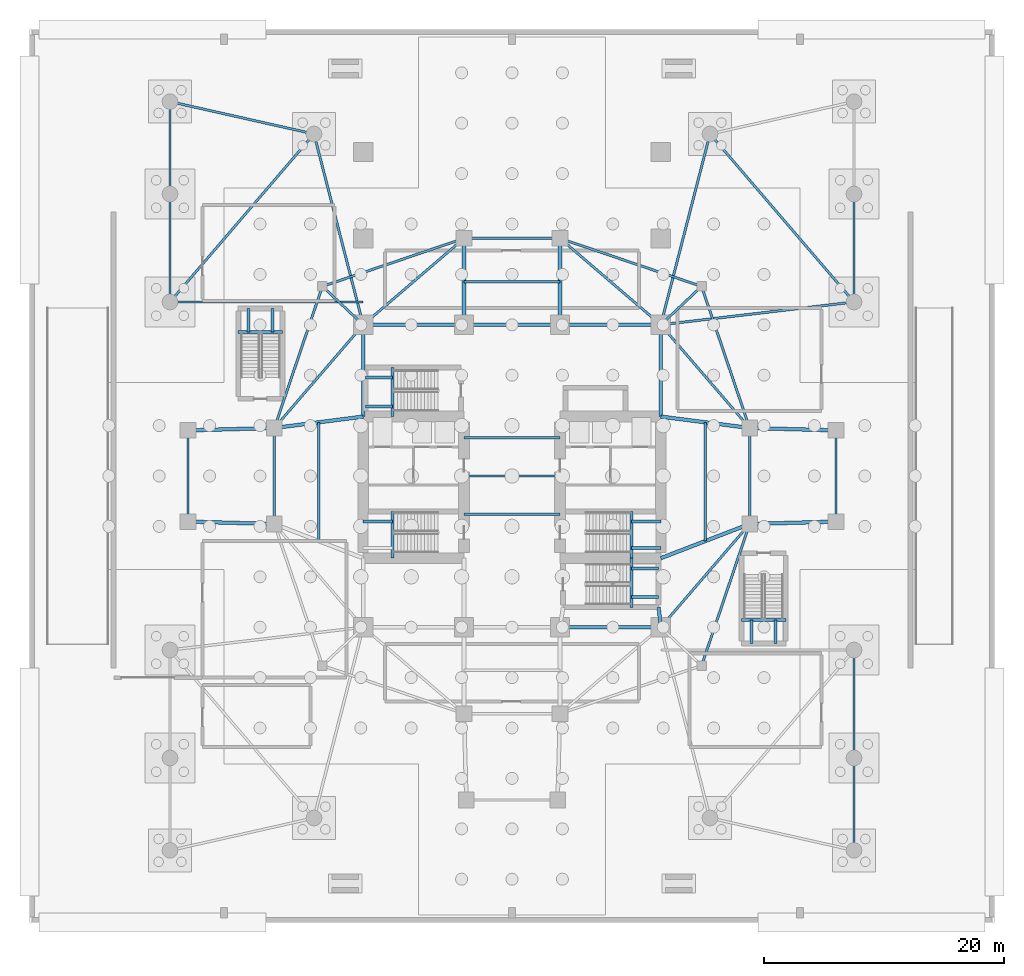
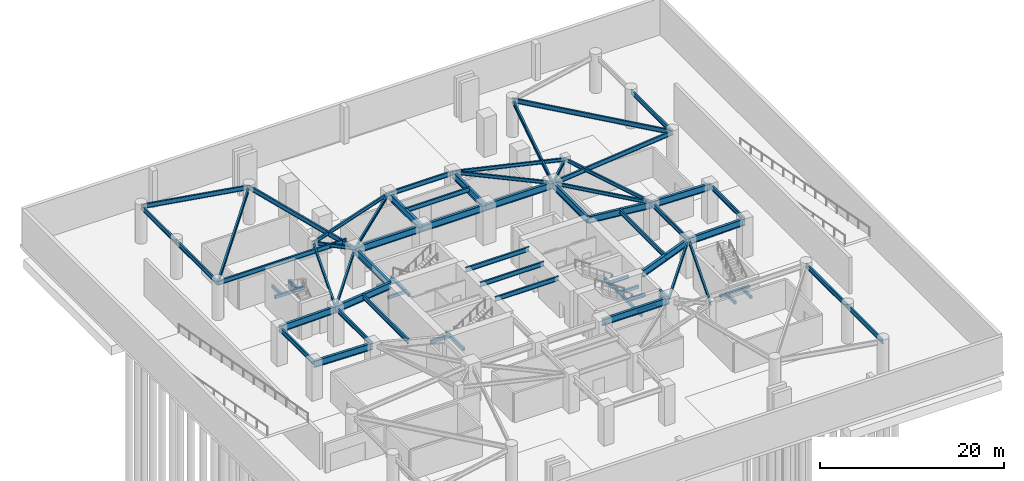
# One storey, part 3 of 14: 68 beams.
"""IFC4 building model written with IfcOpenShell, lengths in metres."""

from ifc_helpers import new_model, si_unit, direction, frame, origin, origin_2d, place, context, subcontext, project, spatial, rectangle, i_section, extrude, material, material_profile, profile_set, type_object, element, save


model = new_model("IFC4")

# Units and contexts
model_context = context("Model", 3, precision=1e-05, world=origin(), true_north=direction((0.0, 1.0)))
body_context = subcontext(model_context, "Body", "Model", "MODEL_VIEW")
ifc_project = project(units=[si_unit("LENGTHUNIT", "METRE"), si_unit("AREAUNIT", "SQUARE_METRE"), si_unit("VOLUMEUNIT", "CUBIC_METRE"), si_unit("PLANEANGLEUNIT", "RADIAN"), si_unit("MASSUNIT", "GRAM", prefix="KILO")], contexts=[model_context])

# Site, building, storey
site_placement = place(None, origin())
site = spatial("IfcSite", under=ifc_project, at=site_placement, CompositionType="ELEMENT")
building_placement = place(site_placement, origin())
building = spatial("IfcBuilding", under=site, at=building_placement, Name="Qingluan Cross Belvedere", CompositionType="ELEMENT")
storey_placement = place(building_placement, frame((0.0, 0.0, -10.39990234375)))
storey = spatial("IfcBuildingStorey", under=building, at=storey_placement, Name="B2", CompositionType="ELEMENT", Elevation=-10.39990234375)

# Beams
ifc_material_1 = material(Name="Concrete C45", Category="concrete")
ifc_material_profile_1 = material_profile(ifc_material_1, rectangle(XDim=0.25, YDim=0.39990234375, at=origin_2d()), Name="RC250x400")
ifc_profile_set_1 = profile_set([ifc_material_profile_1], Name="Concrete C45")
beam_type_1 = type_object("IfcBeamType", Name="RC_Lintel_RC250x400", PredefinedType="LINTEL", material=ifc_profile_set_1)
beam_1_placement = place(storey_placement, frame((-9.969970703125, -6.85009765625, 2.199951171875), z_axis=(0.0, 1.0, 0.0), x_axis=(-1.0, 0.0, 0.0)))
element("IfcBeam", 1, at=beam_1_placement, inside=storey, type_object=beam_type_1, Name="Stair ST1 beam A B2", PredefinedType="LINTEL", context=body_context, shape_type="SweptSolid", body=[
    extrude(rectangle(XDim=0.25, YDim=0.39990234375, at=origin_2d()), origin(), (0.0, 0.0, 1.0), 3.89013671875),
])
beam_2_placement = place(storey_placement, frame((-12.39990234375, -3.81005859375, 2.199951171875), z_axis=(1.0, 0.0, 0.0), x_axis=(0.0, 1.0, 0.0)))
element("IfcBeam", 2, at=beam_2_placement, inside=storey, type_object=beam_type_1, Name="Stair ST1 beam C B2", PredefinedType="LINTEL", context=body_context, shape_type="SweptSolid", body=[
    extrude(rectangle(XDim=0.25, YDim=0.39990234375, at=origin_2d()), origin(), (0.0, 0.0, 1.0), 2.429931640625),
])
beam_3_placement = place(storey_placement, frame((9.969970703125, -6.85009765625, 2.199951171875), z_axis=(0.0, 1.0, 0.0), x_axis=(-1.0, 0.0, 0.0)))
element("IfcBeam", 3, at=beam_3_placement, inside=storey, type_object=beam_type_1, Name="Stair ST2 beam A B2", PredefinedType="LINTEL", context=body_context, shape_type="SweptSolid", body=[
    extrude(rectangle(XDim=0.25, YDim=0.39990234375, at=origin_2d()), origin(), (0.0, 0.0, 1.0), 3.89013671875),
])
for number, where, z_axis, x_axis, name in (
    (4, (12.39990234375, -6.0, 2.199951171875), (-1.0, 0.0, 0.0), (0.0, -1.0, 0.0), "Stair ST2 beam B B2"),
    (5, (12.39990234375, -3.81005859375, 2.199951171875), (-1.0, 0.0, 0.0), (0.0, -1.0, 0.0), "Stair ST2 beam C B2"),
):
    element("IfcBeam", number, at=place(storey_placement, frame(where, z_axis=z_axis, x_axis=x_axis)), inside=storey, type_object=beam_type_1, Name=name, PredefinedType="LINTEL", context=body_context, shape_type="SweptSolid", body=[
        extrude(rectangle(XDim=0.25, YDim=0.39990234375, at=origin_2d()), origin(), (0.0, 0.0, 1.0), 2.429931640625),
    ])
beam_4_placement = place(storey_placement, frame((-9.969970703125, 4.949951171875, 2.199951171875), z_axis=(0.0, 1.0, 0.0), x_axis=(-1.0, 0.0, 0.0)))
element("IfcBeam", 6, at=beam_4_placement, inside=storey, type_object=beam_type_1, Name="Stair ST3 beam A B2", PredefinedType="LINTEL", context=body_context, shape_type="SweptSolid", body=[
    extrude(rectangle(XDim=0.25, YDim=0.39990234375, at=origin_2d()), origin(), (0.0, 0.0, 1.0), 4.090087890625),
])
for number, where, z_axis, x_axis, name in (
    (7, (-12.219970703125, 5.800048828125, 2.199951171875), (1.0, 0.0, 0.0), (0.0, 1.0, 0.0), "Stair ST3 beam B B2"),
    (8, (-12.219970703125, 8.18994140625, 2.199951171875), (1.0, 0.0, 0.0), (0.0, 1.0, 0.0), "Stair ST3 beam C B2"),
):
    element("IfcBeam", number, at=place(storey_placement, frame(where, z_axis=z_axis, x_axis=x_axis)), inside=storey, type_object=beam_type_1, Name=name, PredefinedType="LINTEL", context=body_context, shape_type="SweptSolid", body=[
        extrude(rectangle(XDim=0.25, YDim=0.39990234375, at=origin_2d()), origin(), (0.0, 0.0, 1.0), 2.25),
    ])
beam_5_placement = place(storey_placement, frame((9.969970703125, -10.93994140625, 2.199951171875), z_axis=(0.0, 1.0, 0.0), x_axis=(-1.0, 0.0, 0.0)))
element("IfcBeam", 9, at=beam_5_placement, inside=storey, type_object=beam_type_1, Name="Stair ST4 beam A B2", PredefinedType="LINTEL", context=body_context, shape_type="SweptSolid", body=[
    extrude(rectangle(XDim=0.25, YDim=0.39990234375, at=origin_2d()), origin(), (0.0, 0.0, 1.0), 4.08984375),
])
for number, where, z_axis, x_axis, name in (
    (10, (12.219970703125, -10.090087890625, 2.199951171875), (-1.0, 0.0, 0.0), (0.0, -1.0, 0.0), "Stair ST4 beam B B2"),
    (11, (12.219970703125, -7.699951171875, 2.199951171875), (-1.0, 0.0, 0.0), (0.0, -1.0, 0.0), "Stair ST4 beam C B2"),
):
    element("IfcBeam", number, at=place(storey_placement, frame(where, z_axis=z_axis, x_axis=x_axis)), inside=storey, type_object=beam_type_1, Name=name, PredefinedType="LINTEL", context=body_context, shape_type="SweptSolid", body=[
        extrude(rectangle(XDim=0.25, YDim=0.39990234375, at=origin_2d()), origin(), (0.0, 0.0, 1.0), 2.25),
    ])
beam_6_placement = place(storey_placement, frame((-22.820068359375, 12.0, 2.199951171875), z_axis=(1.0, 0.0, 0.0), x_axis=(0.0, 1.0, 0.0)))
element("IfcBeam", 12, at=beam_6_placement, inside=storey, type_object=beam_type_1, Name="Stair ST5 beam A B2", PredefinedType="LINTEL", context=body_context, shape_type="SweptSolid", body=[
    extrude(rectangle(XDim=0.25, YDim=0.39990234375, at=origin_2d()), origin(), (0.0, 0.0, 1.0), 3.699951171875),
])
for number, where, z_axis, x_axis, name in (
    (13, (-21.969970703125, 13.949951171875, 2.199951171875), (0.0, -1.0, 0.0), (1.0, 0.0, 0.0), "Stair ST5 beam B B2"),
    (14, (-19.969970703125, 13.949951171875, 2.199951171875), (0.0, -1.0, 0.0), (1.0, 0.0, 0.0), "Stair ST5 beam C B2"),
):
    element("IfcBeam", number, at=place(storey_placement, frame(where, z_axis=z_axis, x_axis=x_axis)), inside=storey, type_object=beam_type_1, Name=name, PredefinedType="LINTEL", context=body_context, shape_type="SweptSolid", body=[
        extrude(rectangle(XDim=0.25, YDim=0.39990234375, at=origin_2d()), origin(), (0.0, 0.0, 1.0), 1.949951171875),
    ])
beam_7_placement = place(storey_placement, frame((19.1201171875, -12.0, 2.199951171875), z_axis=(1.0, 0.0, 0.0), x_axis=(0.0, 1.0, 0.0)))
element("IfcBeam", 15, at=beam_7_placement, inside=storey, type_object=beam_type_1, Name="Stair ST6 beam A B2", PredefinedType="LINTEL", context=body_context, shape_type="SweptSolid", body=[
    extrude(rectangle(XDim=0.25, YDim=0.39990234375, at=origin_2d()), origin(), (0.0, 0.0, 1.0), 3.699951171875),
])
for number, where, z_axis, x_axis, name in (
    (16, (19.969970703125, -13.949951171875, 2.199951171875), (0.0, 1.0, 0.0), (-1.0, 0.0, 0.0), "Stair ST6 beam B B2"),
    (17, (21.969970703125, -13.949951171875, 2.199951171875), (0.0, 1.0, 0.0), (-1.0, 0.0, 0.0), "Stair ST6 beam C B2"),
):
    element("IfcBeam", number, at=place(storey_placement, frame(where, z_axis=z_axis, x_axis=x_axis)), inside=storey, type_object=beam_type_1, Name=name, PredefinedType="LINTEL", context=body_context, shape_type="SweptSolid", body=[
        extrude(rectangle(XDim=0.25, YDim=0.39990234375, at=origin_2d()), origin(), (0.0, 0.0, 1.0), 1.949951171875),
    ])
ifc_material_2 = material(Name="Steel Q420GJB", Category="steel")
ifc_material_profile_2 = material_profile(ifc_material_2, i_section(OverallWidth=0.199951171875, OverallDepth=0.449951171875, WebThickness=0.009033203125, FlangeThickness=0.013916015625, FilletRadius=0.01611328125, at=origin_2d()), Name="HN450x200x9x14")
ifc_profile_set_2 = profile_set([ifc_material_profile_2], Name="Steel Q420GJB")
beam_type_2 = type_object("IfcBeamType", Name="Steel_Beam_HN450x200x9x14", PredefinedType="JOIST", material=ifc_profile_set_2)
beam_8_placement = place(storey_placement, frame((12.39990234375, 12.60009765625, 4.625), z_axis=(0.728219948308, 0.685343495546, 0.0), x_axis=(-0.685343495546, 0.728219948308, 0.0)))
element("IfcBeam", 18, at=beam_8_placement, inside=storey, type_object=beam_type_2, Name="Corner beam 1 B2-RNE", PredefinedType="JOIST", context=body_context, shape_type="SweptSolid", body=[
    extrude(i_section(OverallWidth=0.199951171875, OverallDepth=0.449951171875, WebThickness=0.009033203125, FlangeThickness=0.013916015625, FilletRadius=0.01611328125, at=origin_2d()), origin(), (0.0, 0.0, 1.0), 4.669189453125),
])
for number, where, z_axis, x_axis, name in (
    (19, (15.800048828125, 15.800048828125, 4.625), (-0.947066283324, 0.321038089628, 0.0), (-0.321038089628, -0.947066283324, 0.0), "Corner beam 2 B2-RNE"),
    (20, (15.800048828125, 15.800048828125, 4.625), (0.321038089628, -0.947066283324, 0.0), (0.947066283324, 0.321038089628, 0.0), "Corner beam 3 B2-RNE"),
):
    element("IfcBeam", number, at=place(storey_placement, frame(where, z_axis=z_axis, x_axis=x_axis)), inside=storey, type_object=beam_type_2, Name=name, PredefinedType="JOIST", context=body_context, shape_type="SweptSolid", body=[
        extrude(i_section(OverallWidth=0.199951171875, OverallDepth=0.449951171875, WebThickness=0.009033203125, FlangeThickness=0.013916015625, FilletRadius=0.01611328125, at=origin_2d()), origin(), (0.0, 0.0, 1.0), 12.45947265625),
    ])
beam_9_placement = place(storey_placement, frame((12.39990234375, 12.60009765625, 4.625), z_axis=(0.652245077546, -0.75800815221, 0.0), x_axis=(0.75800815221, 0.652245077546, 0.0)))
element("IfcBeam", 21, at=beam_9_placement, inside=storey, type_object=beam_type_2, Name="Corner beam 4 B2-RNE", PredefinedType="JOIST", context=body_context, shape_type="SweptSolid", body=[
    extrude(i_section(OverallWidth=0.199951171875, OverallDepth=0.449951171875, WebThickness=0.009033203125, FlangeThickness=0.013916015625, FilletRadius=0.01611328125, at=origin_2d()), origin(), (0.0, 0.0, 1.0), 11.345703125),
])
beam_10_placement = place(storey_placement, frame((12.39990234375, 12.60009765625, 4.625), z_axis=(-0.759255044656, 0.650793190779, 0.0), x_axis=(-0.650793190779, -0.759255044656, 0.0)))
element("IfcBeam", 22, at=beam_10_placement, inside=storey, type_object=beam_type_2, Name="Corner beam 5 B2-RNE", PredefinedType="JOIST", context=body_context, shape_type="SweptSolid", body=[
    extrude(i_section(OverallWidth=0.199951171875, OverallDepth=0.449951171875, WebThickness=0.009033203125, FlangeThickness=0.013916015625, FilletRadius=0.01611328125, at=origin_2d()), origin(), (0.0, 0.0, 1.0), 11.063232421875),
])
beam_11_placement = place(storey_placement, frame((-12.39990234375, 12.60009765625, 4.625), z_axis=(-0.728219948308, 0.685343495546, 0.0), x_axis=(-0.685343495546, -0.728219948308, 0.0)))
element("IfcBeam", 23, at=beam_11_placement, inside=storey, type_object=beam_type_2, Name="Corner beam 1 B2-RNW", PredefinedType="JOIST", context=body_context, shape_type="SweptSolid", body=[
    extrude(i_section(OverallWidth=0.199951171875, OverallDepth=0.449951171875, WebThickness=0.009033203125, FlangeThickness=0.013916015625, FilletRadius=0.01611328125, at=origin_2d()), origin(), (0.0, 0.0, 1.0), 4.669189453125),
])
for number, where, z_axis, x_axis, name in (
    (24, (-15.800048828125, 15.800048828125, 4.625), (0.947066283324, 0.321038089628, 0.0), (-0.321038089628, 0.947066283324, 0.0), "Corner beam 2 B2-RNW"),
    (25, (-15.800048828125, 15.800048828125, 4.625), (-0.321038089628, -0.947066283324, 0.0), (0.947066283324, -0.321038089628, 0.0), "Corner beam 3 B2-RNW"),
):
    element("IfcBeam", number, at=place(storey_placement, frame(where, z_axis=z_axis, x_axis=x_axis)), inside=storey, type_object=beam_type_2, Name=name, PredefinedType="JOIST", context=body_context, shape_type="SweptSolid", body=[
        extrude(i_section(OverallWidth=0.199951171875, OverallDepth=0.449951171875, WebThickness=0.009033203125, FlangeThickness=0.013916015625, FilletRadius=0.01611328125, at=origin_2d()), origin(), (0.0, 0.0, 1.0), 12.45947265625),
    ])
beam_12_placement = place(storey_placement, frame((-12.39990234375, 12.60009765625, 4.625), z_axis=(-0.652245077546, -0.75800815221, 0.0), x_axis=(0.75800815221, -0.652245077546, 0.0)))
element("IfcBeam", 26, at=beam_12_placement, inside=storey, type_object=beam_type_2, Name="Corner beam 4 B2-RNW", PredefinedType="JOIST", context=body_context, shape_type="SweptSolid", body=[
    extrude(i_section(OverallWidth=0.199951171875, OverallDepth=0.449951171875, WebThickness=0.009033203125, FlangeThickness=0.013916015625, FilletRadius=0.01611328125, at=origin_2d()), origin(), (0.0, 0.0, 1.0), 11.345703125),
])
beam_13_placement = place(storey_placement, frame((-12.39990234375, 12.60009765625, 4.625), z_axis=(0.759255044656, 0.650793190779, 0.0), x_axis=(-0.650793190779, 0.759255044656, 0.0)))
element("IfcBeam", 27, at=beam_13_placement, inside=storey, type_object=beam_type_2, Name="Corner beam 5 B2-RNW", PredefinedType="JOIST", context=body_context, shape_type="SweptSolid", body=[
    extrude(i_section(OverallWidth=0.199951171875, OverallDepth=0.449951171875, WebThickness=0.009033203125, FlangeThickness=0.013916015625, FilletRadius=0.01611328125, at=origin_2d()), origin(), (0.0, 0.0, 1.0), 11.063232421875),
])
beam_14_placement = place(storey_placement, frame((15.800048828125, -15.800048828125, 4.625), z_axis=(0.321038089628, 0.947066283324, 0.0), x_axis=(-0.947066283324, 0.321038089628, 0.0)))
element("IfcBeam", 28, at=beam_14_placement, inside=storey, type_object=beam_type_2, Name="Corner beam 3 B2-RSE", PredefinedType="JOIST", context=body_context, shape_type="SweptSolid", body=[
    extrude(i_section(OverallWidth=0.199951171875, OverallDepth=0.449951171875, WebThickness=0.009033203125, FlangeThickness=0.013916015625, FilletRadius=0.01611328125, at=origin_2d()), origin(), (0.0, 0.0, 1.0), 12.45947265625),
])
beam_15_placement = place(storey_placement, frame((12.39990234375, -12.60009765625, 4.625), z_axis=(0.652245077546, 0.75800815221, 0.0), x_axis=(-0.75800815221, 0.652245077546, 0.0)))
element("IfcBeam", 29, at=beam_15_placement, inside=storey, type_object=beam_type_2, Name="Corner beam 4 B2-RSE", PredefinedType="JOIST", context=body_context, shape_type="SweptSolid", body=[
    extrude(i_section(OverallWidth=0.199951171875, OverallDepth=0.449951171875, WebThickness=0.009033203125, FlangeThickness=0.013916015625, FilletRadius=0.01611328125, at=origin_2d()), origin(), (0.0, 0.0, 1.0), 11.345703125),
])
ifc_material_3 = material(Name="Steel Q420GJB", Category="steel")
ifc_material_profile_3 = material_profile(ifc_material_3, i_section(OverallWidth=0.199951171875, OverallDepth=0.60009765625, WebThickness=0.010986328125, FlangeThickness=0.01708984375, FilletRadius=0.01806640625, at=origin_2d()), Name="HN600x200x11x17")
ifc_profile_set_3 = profile_set([ifc_material_profile_3], Name="Steel Q420GJB")
beam_type_3 = type_object("IfcBeamType", Name="Steel_Beam_HN600x200x11x17", PredefinedType="JOIST", material=ifc_profile_set_3)
for number, where, z_axis, x_axis, name in (
    (30, (-4.0, -3.199951171875, 4.5498046875), (1.0, 0.0, 0.0), (0.0, 1.0, 0.0), "Hall beam B2-CH1"),
    (31, (-4.0, 0.0, 4.5498046875), (1.0, 0.0, 0.0), (0.0, 1.0, 0.0), "Hall beam B2-CH2"),
    (32, (-4.0, 3.199951171875, 4.5498046875), (1.0, 0.0, 0.0), (0.0, 1.0, 0.0), "Hall beam B2-CH3"),
    (33, (19.800048828125, -4.0, 4.5498046875), (0.0, 1.0, 0.0), (-1.0, 0.0, 0.0), "Arm E tie B2"),
):
    element("IfcBeam", number, at=place(storey_placement, frame(where, z_axis=z_axis, x_axis=x_axis)), inside=storey, type_object=beam_type_3, Name=name, PredefinedType="JOIST", context=body_context, shape_type="SweptSolid", body=[
        extrude(i_section(OverallWidth=0.199951171875, OverallDepth=0.60009765625, WebThickness=0.010986328125, FlangeThickness=0.01708984375, FilletRadius=0.01806640625, at=origin_2d()), origin(), (0.0, 0.0, 1.0), 8.0),
    ])
beam_16_placement = place(storey_placement, frame((16.10009765625, -5.425048828125, 4.5498046875), z_axis=(0.0, 1.0, 0.0), x_axis=(-1.0, 0.0, 0.0)))
element("IfcBeam", 34, at=beam_16_placement, inside=storey, type_object=beam_type_3, Name="Arm E beam B2", PredefinedType="JOIST", context=body_context, shape_type="SweptSolid", body=[
    extrude(i_section(OverallWidth=0.199951171875, OverallDepth=0.60009765625, WebThickness=0.010986328125, FlangeThickness=0.01708984375, FilletRadius=0.01806640625, at=origin_2d()), origin(), (0.0, 0.0, 1.0), 9.900146484375),
])
beam_17_placement = place(storey_placement, frame((27.0, -3.800048828125, 4.5498046875), z_axis=(0.0, 1.0, 0.0), x_axis=(-1.0, 0.0, 0.0)))
element("IfcBeam", 35, at=beam_17_placement, inside=storey, type_object=beam_type_3, Name="Arm E tip transverse beam B2", PredefinedType="JOIST", context=body_context, shape_type="SweptSolid", body=[
    extrude(i_section(OverallWidth=0.199951171875, OverallDepth=0.60009765625, WebThickness=0.010986328125, FlangeThickness=0.01708984375, FilletRadius=0.01806640625, at=origin_2d()), origin(), (0.0, 0.0, 1.0), 7.60009765625),
])
beam_18_placement = place(storey_placement, frame((-19.800048828125, -4.0, 4.5498046875), z_axis=(0.0, 1.0, 0.0), x_axis=(-1.0, 0.0, 0.0)))
element("IfcBeam", 36, at=beam_18_placement, inside=storey, type_object=beam_type_3, Name="Arm W tie B2", PredefinedType="JOIST", context=body_context, shape_type="SweptSolid", body=[
    extrude(i_section(OverallWidth=0.199951171875, OverallDepth=0.60009765625, WebThickness=0.010986328125, FlangeThickness=0.01708984375, FilletRadius=0.01806640625, at=origin_2d()), origin(), (0.0, 0.0, 1.0), 8.0),
])
beam_19_placement = place(storey_placement, frame((-16.10009765625, -5.425048828125, 4.5498046875), z_axis=(0.0, 1.0, 0.0), x_axis=(-1.0, 0.0, 0.0)))
element("IfcBeam", 37, at=beam_19_placement, inside=storey, type_object=beam_type_3, Name="Arm W beam B2", PredefinedType="JOIST", context=body_context, shape_type="SweptSolid", body=[
    extrude(i_section(OverallWidth=0.199951171875, OverallDepth=0.60009765625, WebThickness=0.010986328125, FlangeThickness=0.01708984375, FilletRadius=0.01806640625, at=origin_2d()), origin(), (0.0, 0.0, 1.0), 9.900146484375),
])
beam_20_placement = place(storey_placement, frame((-27.0, -3.800048828125, 4.5498046875), z_axis=(0.0, 1.0, 0.0), x_axis=(-1.0, 0.0, 0.0)))
element("IfcBeam", 38, at=beam_20_placement, inside=storey, type_object=beam_type_3, Name="Arm W tip transverse beam B2", PredefinedType="JOIST", context=body_context, shape_type="SweptSolid", body=[
    extrude(i_section(OverallWidth=0.199951171875, OverallDepth=0.60009765625, WebThickness=0.010986328125, FlangeThickness=0.01708984375, FilletRadius=0.01806640625, at=origin_2d()), origin(), (0.0, 0.0, 1.0), 7.60009765625),
])
for number, where, z_axis, x_axis, name in (
    (39, (-4.0, 19.800048828125, 4.5498046875), (1.0, 0.0, 0.0), (0.0, 1.0, 0.0), "Arm N tie B2"),
    (40, (-4.0, 16.199951171875, 4.5498046875), (1.0, 0.0, 0.0), (0.0, 1.0, 0.0), "Arm N beam B2"),
):
    element("IfcBeam", number, at=place(storey_placement, frame(where, z_axis=z_axis, x_axis=x_axis)), inside=storey, type_object=beam_type_3, Name=name, PredefinedType="JOIST", context=body_context, shape_type="SweptSolid", body=[
        extrude(i_section(OverallWidth=0.199951171875, OverallDepth=0.60009765625, WebThickness=0.010986328125, FlangeThickness=0.01708984375, FilletRadius=0.01806640625, at=origin_2d()), origin(), (0.0, 0.0, 1.0), 8.0),
    ])
beam_21_placement = place(storey_placement, frame((-12.39990234375, 14.5, 4.5498046875), z_axis=(-1.0, 0.0, 0.0), x_axis=(0.0, -1.0, 0.0)))
element("IfcBeam", 41, at=beam_21_placement, inside=storey, type_object=beam_type_3, Name="Podium quadrant tie beam B2-WNH1", PredefinedType="JOIST", context=body_context, shape_type="SweptSolid", body=[
    extrude(i_section(OverallWidth=0.199951171875, OverallDepth=0.60009765625, WebThickness=0.010986328125, FlangeThickness=0.01708984375, FilletRadius=0.01806640625, at=origin_2d()), origin(), (0.0, 0.0, 1.0), 16.10009765625),
])
beam_22_placement = place(storey_placement, frame((-12.39990234375, 12.60009765625, 4.5498046875), z_axis=(-0.249700840873, 0.968323029814, 0.0), x_axis=(-0.968323029814, -0.249700840873, 0.0)))
element("IfcBeam", 42, at=beam_22_placement, inside=storey, type_object=beam_type_3, Name="Podium quadrant tie beam B2-WNH3", PredefinedType="JOIST", context=body_context, shape_type="SweptSolid", body=[
    extrude(i_section(OverallWidth=0.199951171875, OverallDepth=0.60009765625, WebThickness=0.010986328125, FlangeThickness=0.01708984375, FilletRadius=0.01806640625, at=origin_2d()), origin(), (0.0, 0.0, 1.0), 16.419921875),
])
beam_23_placement = place(storey_placement, frame((-28.5, 14.5, 4.5498046875), z_axis=(0.0, 1.0, 0.0), x_axis=(-1.0, 0.0, 0.0)))
element("IfcBeam", 43, at=beam_23_placement, inside=storey, type_object=beam_type_3, Name="Podium quadrant tie beam B2-WN12", PredefinedType="JOIST", context=body_context, shape_type="SweptSolid", body=[
    extrude(i_section(OverallWidth=0.199951171875, OverallDepth=0.60009765625, WebThickness=0.010986328125, FlangeThickness=0.01708984375, FilletRadius=0.01806640625, at=origin_2d()), origin(), (0.0, 0.0, 1.0), 9.0),
])
beam_24_placement = place(storey_placement, frame((-28.5, 23.5, 4.5498046875), z_axis=(0.0, 1.0, 0.0), x_axis=(-1.0, 0.0, 0.0)))
element("IfcBeam", 44, at=beam_24_placement, inside=storey, type_object=beam_type_3, Name="Podium quadrant tie beam B2-WN24", PredefinedType="JOIST", context=body_context, shape_type="SweptSolid", body=[
    extrude(i_section(OverallWidth=0.199951171875, OverallDepth=0.60009765625, WebThickness=0.010986328125, FlangeThickness=0.01708984375, FilletRadius=0.01806640625, at=origin_2d()), origin(), (0.0, 0.0, 1.0), 7.699951171875),
])
beam_25_placement = place(storey_placement, frame((-16.5, 28.5, 4.5498046875), z_axis=(-0.975610606249, 0.219508416636, 0.0), x_axis=(-0.219508416636, -0.975610606249, 0.0)))
element("IfcBeam", 45, at=beam_25_placement, inside=storey, type_object=beam_type_3, Name="Podium quadrant tie beam B2-WN34", PredefinedType="JOIST", context=body_context, shape_type="SweptSolid", body=[
    extrude(i_section(OverallWidth=0.199951171875, OverallDepth=0.60009765625, WebThickness=0.010986328125, FlangeThickness=0.01708984375, FilletRadius=0.01806640625, at=origin_2d()), origin(), (0.0, 0.0, 1.0), 12.300048828125),
])
beam_26_placement = place(storey_placement, frame((-28.5, 14.5, 4.5498046875), z_axis=(0.650791373456, 0.759256602365, 0.0), x_axis=(-0.759256602365, 0.650791373456, 0.0)))
element("IfcBeam", 46, at=beam_26_placement, inside=storey, type_object=beam_type_3, Name="Podium quadrant tie beam B2-WN13", PredefinedType="JOIST", context=body_context, shape_type="SweptSolid", body=[
    extrude(i_section(OverallWidth=0.199951171875, OverallDepth=0.60009765625, WebThickness=0.010986328125, FlangeThickness=0.01708984375, FilletRadius=0.01806640625, at=origin_2d()), origin(), (0.0, 0.0, 1.0), 18.439208984375),
])
beam_27_placement = place(storey_placement, frame((28.5, -14.5, 4.5498046875), z_axis=(0.0, -1.0, 0.0), x_axis=(1.0, 0.0, 0.0)))
element("IfcBeam", 47, at=beam_27_placement, inside=storey, type_object=beam_type_3, Name="Podium quadrant tie beam B2-ES12", PredefinedType="JOIST", context=body_context, shape_type="SweptSolid", body=[
    extrude(i_section(OverallWidth=0.199951171875, OverallDepth=0.60009765625, WebThickness=0.010986328125, FlangeThickness=0.01708984375, FilletRadius=0.01806640625, at=origin_2d()), origin(), (0.0, 0.0, 1.0), 9.0),
])
beam_28_placement = place(storey_placement, frame((28.5, -23.5, 4.5498046875), z_axis=(0.0, -1.0, 0.0), x_axis=(1.0, 0.0, 0.0)))
element("IfcBeam", 48, at=beam_28_placement, inside=storey, type_object=beam_type_3, Name="Podium quadrant tie beam B2-ES24", PredefinedType="JOIST", context=body_context, shape_type="SweptSolid", body=[
    extrude(i_section(OverallWidth=0.199951171875, OverallDepth=0.60009765625, WebThickness=0.010986328125, FlangeThickness=0.01708984375, FilletRadius=0.01806640625, at=origin_2d()), origin(), (0.0, 0.0, 1.0), 7.699951171875),
])
beam_29_placement = place(storey_placement, frame((12.39990234375, 12.60009765625, 4.5498046875), z_axis=(0.99310921872, 0.117192489917, 0.0), x_axis=(-0.117192489917, 0.99310921872, 0.0)))
element("IfcBeam", 49, at=beam_29_placement, inside=storey, type_object=beam_type_3, Name="Podium quadrant tie beam B2-ENH1", PredefinedType="JOIST", context=body_context, shape_type="SweptSolid", body=[
    extrude(i_section(OverallWidth=0.199951171875, OverallDepth=0.60009765625, WebThickness=0.010986328125, FlangeThickness=0.01708984375, FilletRadius=0.01806640625, at=origin_2d()), origin(), (0.0, 0.0, 1.0), 16.2119140625),
])
beam_30_placement = place(storey_placement, frame((12.39990234375, 12.60009765625, 4.5498046875), z_axis=(0.249700840873, 0.968323029814, 0.0), x_axis=(-0.968323029814, 0.249700840873, 0.0)))
element("IfcBeam", 50, at=beam_30_placement, inside=storey, type_object=beam_type_3, Name="Podium quadrant tie beam B2-ENH3", PredefinedType="JOIST", context=body_context, shape_type="SweptSolid", body=[
    extrude(i_section(OverallWidth=0.199951171875, OverallDepth=0.60009765625, WebThickness=0.010986328125, FlangeThickness=0.01708984375, FilletRadius=0.01806640625, at=origin_2d()), origin(), (0.0, 0.0, 1.0), 16.419921875),
])
beam_31_placement = place(storey_placement, frame((28.5, 14.5, 4.5498046875), z_axis=(0.0, 1.0, 0.0), x_axis=(-1.0, 0.0, 0.0)))
element("IfcBeam", 51, at=beam_31_placement, inside=storey, type_object=beam_type_3, Name="Podium quadrant tie beam B2-EN12", PredefinedType="JOIST", context=body_context, shape_type="SweptSolid", body=[
    extrude(i_section(OverallWidth=0.199951171875, OverallDepth=0.60009765625, WebThickness=0.010986328125, FlangeThickness=0.01708984375, FilletRadius=0.01806640625, at=origin_2d()), origin(), (0.0, 0.0, 1.0), 9.0),
])
beam_32_placement = place(storey_placement, frame((28.5, 14.5, 4.5498046875), z_axis=(-0.650791373456, 0.759256602365, 0.0), x_axis=(-0.759256602365, -0.650791373456, 0.0)))
element("IfcBeam", 52, at=beam_32_placement, inside=storey, type_object=beam_type_3, Name="Podium quadrant tie beam B2-EN13", PredefinedType="JOIST", context=body_context, shape_type="SweptSolid", body=[
    extrude(i_section(OverallWidth=0.199951171875, OverallDepth=0.60009765625, WebThickness=0.010986328125, FlangeThickness=0.01708984375, FilletRadius=0.01806640625, at=origin_2d()), origin(), (0.0, 0.0, 1.0), 18.439208984375),
])
ifc_material_4 = material(Name="Steel Q420GJB", Category="steel")
ifc_material_profile_4 = material_profile(ifc_material_4, i_section(OverallWidth=0.300048828125, OverallDepth=0.89990234375, WebThickness=0.0166015625, FlangeThickness=0.030029296875, FilletRadius=0.030029296875, at=origin_2d()), Name="HEB900")
ifc_profile_set_4 = profile_set([ifc_material_profile_4], Name="Steel Q420GJB")
beam_type_4 = type_object("IfcBeamType", Name="Steel_Girder_HEB900", PredefinedType="USERDEFINED", material=ifc_profile_set_4)
for number, where, z_axis, x_axis, name in (
    (53, (4.0, -12.60009765625, 4.39990234375), (1.0, 0.0, 0.0), (0.0, 1.0, 0.0), "Hub girder B2-HG-S3"),
    (54, (-12.39990234375, 12.60009765625, 4.39990234375), (1.0, 0.0, 0.0), (0.0, 1.0, 0.0), "Hub girder B2-HG-N1"),
):
    element("IfcBeam", number, at=place(storey_placement, frame(where, z_axis=z_axis, x_axis=x_axis)), inside=storey, type_object=beam_type_4, Name=name, ObjectType="GIRDER", PredefinedType="USERDEFINED", context=body_context, shape_type="SweptSolid", body=[
        extrude(i_section(OverallWidth=0.300048828125, OverallDepth=0.89990234375, WebThickness=0.0166015625, FlangeThickness=0.030029296875, FilletRadius=0.030029296875, at=origin_2d()), origin(), (0.0, 0.0, 1.0), 8.39990234375),
    ])
beam_33_placement = place(storey_placement, frame((-4.0, 12.60009765625, 4.39990234375), z_axis=(1.0, 0.0, 0.0), x_axis=(0.0, 1.0, 0.0)))
element("IfcBeam", 55, at=beam_33_placement, inside=storey, type_object=beam_type_4, Name="Hub girder B2-HG-N2", ObjectType="GIRDER", PredefinedType="USERDEFINED", context=body_context, shape_type="SweptSolid", body=[
    extrude(i_section(OverallWidth=0.300048828125, OverallDepth=0.89990234375, WebThickness=0.0166015625, FlangeThickness=0.030029296875, FilletRadius=0.030029296875, at=origin_2d()), origin(), (0.0, 0.0, 1.0), 8.0),
])
beam_34_placement = place(storey_placement, frame((4.0, 12.60009765625, 4.39990234375), z_axis=(1.0, 0.0, 0.0), x_axis=(0.0, 1.0, 0.0)))
element("IfcBeam", 56, at=beam_34_placement, inside=storey, type_object=beam_type_4, Name="Hub girder B2-HG-N3", ObjectType="GIRDER", PredefinedType="USERDEFINED", context=body_context, shape_type="SweptSolid", body=[
    extrude(i_section(OverallWidth=0.300048828125, OverallDepth=0.89990234375, WebThickness=0.0166015625, FlangeThickness=0.030029296875, FilletRadius=0.030029296875, at=origin_2d()), origin(), (0.0, 0.0, 1.0), 8.39990234375),
])
beam_35_placement = place(storey_placement, frame((-12.39990234375, 4.949951171875, 4.39990234375), z_axis=(0.0, 1.0, 0.0), x_axis=(-1.0, 0.0, 0.0)))
element("IfcBeam", 57, at=beam_35_placement, inside=storey, type_object=beam_type_4, Name="Hub girder B2-HG-W2", ObjectType="GIRDER", PredefinedType="USERDEFINED", context=body_context, shape_type="SweptSolid", body=[
    extrude(i_section(OverallWidth=0.300048828125, OverallDepth=0.89990234375, WebThickness=0.0166015625, FlangeThickness=0.030029296875, FilletRadius=0.030029296875, at=origin_2d()), origin(), (0.0, 0.0, 1.0), 7.650146484375),
])
beam_36_placement = place(storey_placement, frame((12.39990234375, -12.60009765625, 4.39990234375), z_axis=(-0.107751337451, 0.994177876075, 0.0), x_axis=(-0.994177876075, -0.107751337451, 0.0)))
element("IfcBeam", 58, at=beam_36_placement, inside=storey, type_object=beam_type_4, Name="Hub girder B2-HG-E1", ObjectType="GIRDER", PredefinedType="USERDEFINED", context=body_context, shape_type="SweptSolid", body=[
    extrude(i_section(OverallWidth=0.300048828125, OverallDepth=0.89990234375, WebThickness=0.0166015625, FlangeThickness=0.030029296875, FilletRadius=0.030029296875, at=origin_2d()), origin(), (0.0, 0.0, 1.0), 1.669921875),
])
beam_37_placement = place(storey_placement, frame((12.39990234375, 4.949951171875, 4.39990234375), z_axis=(0.0, 1.0, 0.0), x_axis=(-1.0, 0.0, 0.0)))
element("IfcBeam", 59, at=beam_37_placement, inside=storey, type_object=beam_type_4, Name="Hub girder B2-HG-E2", ObjectType="GIRDER", PredefinedType="USERDEFINED", context=body_context, shape_type="SweptSolid", body=[
    extrude(i_section(OverallWidth=0.300048828125, OverallDepth=0.89990234375, WebThickness=0.0166015625, FlangeThickness=0.030029296875, FilletRadius=0.030029296875, at=origin_2d()), origin(), (0.0, 0.0, 1.0), 7.650146484375),
])
beam_38_placement = place(storey_placement, frame((12.39990234375, -6.85009765625, 4.39990234375), z_axis=(0.933181258889, 0.359406090735, 0.0), x_axis=(-0.359406090735, 0.933181258889, 0.0)))
element("IfcBeam", 60, at=beam_38_placement, inside=storey, type_object=beam_type_4, Name="Arm E radial girder A B2", ObjectType="GIRDER", PredefinedType="USERDEFINED", context=body_context, shape_type="SweptSolid", body=[
    extrude(i_section(OverallWidth=0.300048828125, OverallDepth=0.89990234375, WebThickness=0.0166015625, FlangeThickness=0.030029296875, FilletRadius=0.030029296875, at=origin_2d()), origin(), (0.0, 0.0, 1.0), 7.929931640625),
])
beam_39_placement = place(storey_placement, frame((12.39990234375, 4.949951171875, 4.39990234375), z_axis=(0.991861120628, -0.12732445714, 0.0), x_axis=(0.12732445714, 0.991861120628, 0.0)))
element("IfcBeam", 61, at=beam_39_placement, inside=storey, type_object=beam_type_4, Name="Arm E radial girder B B2", ObjectType="GIRDER", PredefinedType="USERDEFINED", context=body_context, shape_type="SweptSolid", body=[
    extrude(i_section(OverallWidth=0.300048828125, OverallDepth=0.89990234375, WebThickness=0.0166015625, FlangeThickness=0.030029296875, FilletRadius=0.030029296875, at=origin_2d()), origin(), (0.0, 0.0, 1.0), 7.4609375),
])
for number, where, z_axis, x_axis, name in (
    (62, (19.800048828125, -4.0, 4.39990234375), (0.999614603568, 0.027760481514, 0.0), (-0.027760481514, 0.999614603568, 0.0), "Arm E outer radial girder A B2"),
    (63, (19.800048828125, 4.0, 4.39990234375), (0.999614603568, -0.027760481514, 0.0), (0.027760481514, 0.999614603568, 0.0), "Arm E outer radial girder B B2"),
):
    element("IfcBeam", number, at=place(storey_placement, frame(where, z_axis=z_axis, x_axis=x_axis)), inside=storey, type_object=beam_type_4, Name=name, ObjectType="GIRDER", PredefinedType="USERDEFINED", context=body_context, shape_type="SweptSolid", body=[
        extrude(i_section(OverallWidth=0.300048828125, OverallDepth=0.89990234375, WebThickness=0.0166015625, FlangeThickness=0.030029296875, FilletRadius=0.030029296875, at=origin_2d()), origin(), (0.0, 0.0, 1.0), 7.20263671875),
    ])
beam_40_placement = place(storey_placement, frame((-12.39990234375, 4.949951171875, 4.39990234375), z_axis=(-0.991861120628, -0.12732445714, 0.0), x_axis=(0.12732445714, -0.991861120628, 0.0)))
element("IfcBeam", 64, at=beam_40_placement, inside=storey, type_object=beam_type_4, Name="Arm W radial girder B B2", ObjectType="GIRDER", PredefinedType="USERDEFINED", context=body_context, shape_type="SweptSolid", body=[
    extrude(i_section(OverallWidth=0.300048828125, OverallDepth=0.89990234375, WebThickness=0.0166015625, FlangeThickness=0.030029296875, FilletRadius=0.030029296875, at=origin_2d()), origin(), (0.0, 0.0, 1.0), 7.4609375),
])
for number, where, z_axis, x_axis, name in (
    (65, (-19.800048828125, -4.0, 4.39990234375), (-0.999614603568, 0.027760481514, 0.0), (-0.027760481514, -0.999614603568, 0.0), "Arm W outer radial girder A B2"),
    (66, (-19.800048828125, 4.0, 4.39990234375), (-0.999614603568, -0.027760481514, 0.0), (0.027760481514, -0.999614603568, 0.0), "Arm W outer radial girder B B2"),
):
    element("IfcBeam", number, at=place(storey_placement, frame(where, z_axis=z_axis, x_axis=x_axis)), inside=storey, type_object=beam_type_4, Name=name, ObjectType="GIRDER", PredefinedType="USERDEFINED", context=body_context, shape_type="SweptSolid", body=[
        extrude(i_section(OverallWidth=0.300048828125, OverallDepth=0.89990234375, WebThickness=0.0166015625, FlangeThickness=0.030029296875, FilletRadius=0.030029296875, at=origin_2d()), origin(), (0.0, 0.0, 1.0), 7.20263671875),
    ])
for number, where, z_axis, x_axis, name in (
    (67, (-4.0, 12.60009765625, 4.39990234375), (0.0, 1.0, 0.0), (-1.0, 0.0, 0.0), "Arm N radial girder A B2"),
    (68, (4.0, 12.60009765625, 4.39990234375), (0.0, 1.0, 0.0), (-1.0, 0.0, 0.0), "Arm N radial girder B B2"),
):
    element("IfcBeam", number, at=place(storey_placement, frame(where, z_axis=z_axis, x_axis=x_axis)), inside=storey, type_object=beam_type_4, Name=name, ObjectType="GIRDER", PredefinedType="USERDEFINED", context=body_context, shape_type="SweptSolid", body=[
        extrude(i_section(OverallWidth=0.300048828125, OverallDepth=0.89990234375, WebThickness=0.0166015625, FlangeThickness=0.030029296875, FilletRadius=0.030029296875, at=origin_2d()), origin(), (0.0, 0.0, 1.0), 7.199951171875),
    ])

save(model, "model.ifc")
